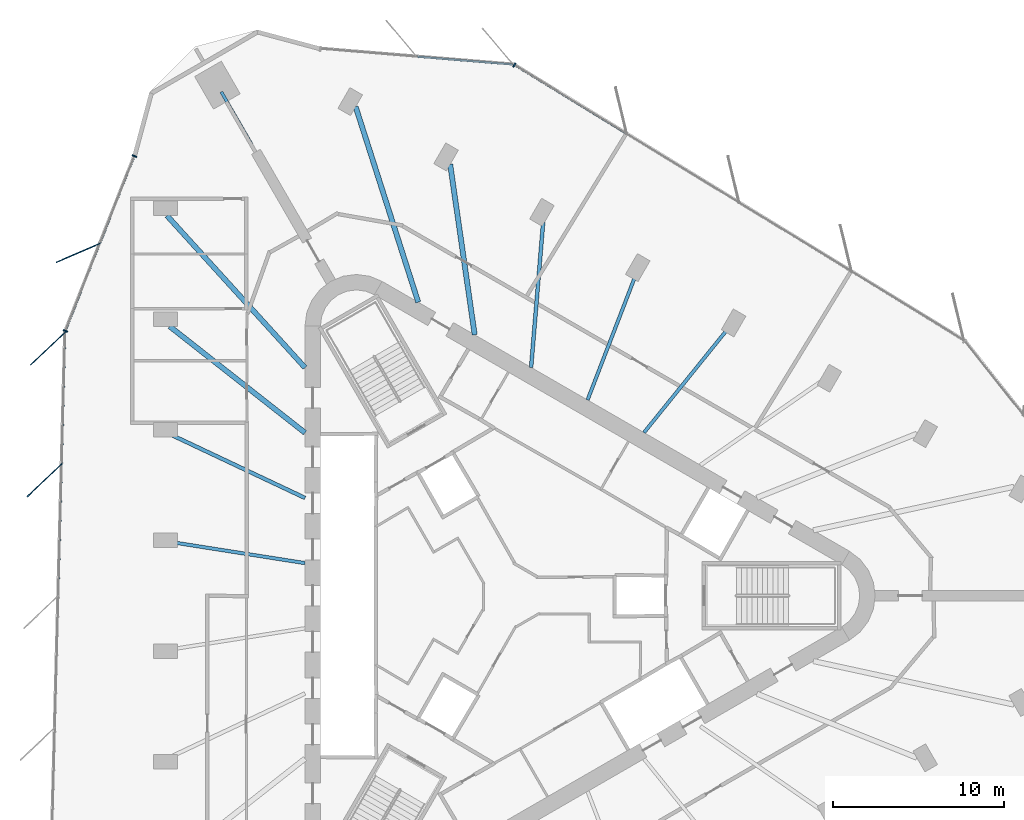
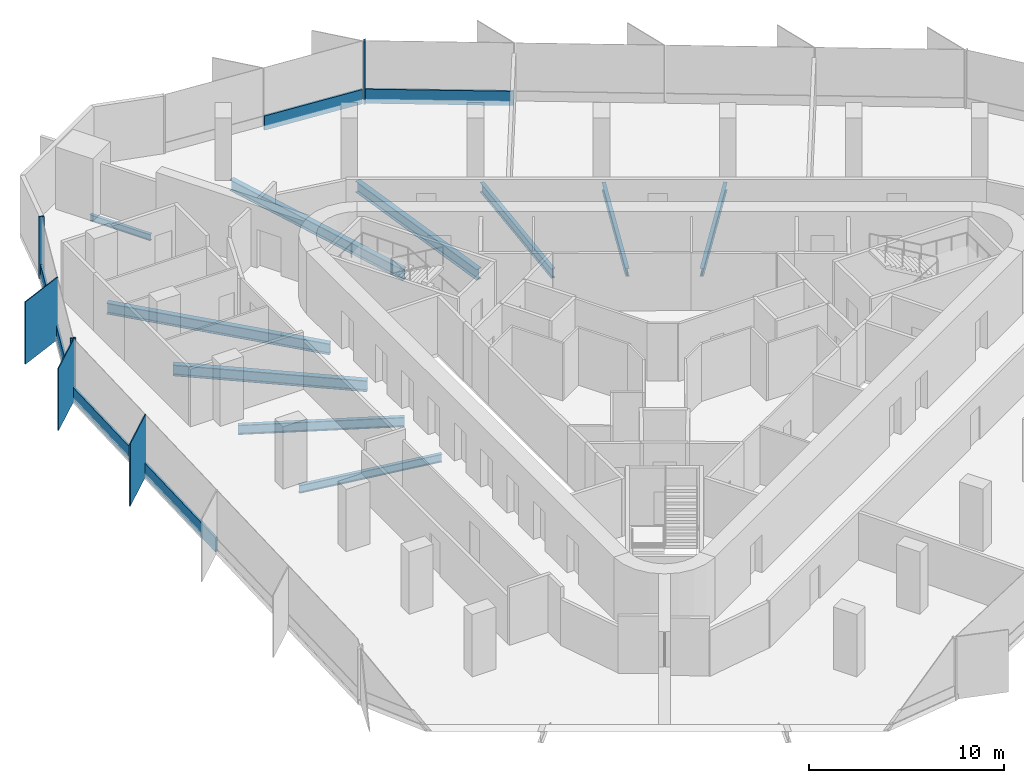
# One storey, part 4 of 13: 12 members, 10 beams, 4 elements without a shape of their own.
"""IFC4 building model written with IfcOpenShell, lengths in metres."""

from ifc_helpers import new_model, si_unit, direction, frame, origin, origin_2d, place, context, subcontext, project, spatial, rectangle, i_section, extrude, material, material_profile, profile_set, type_object, element, aggregate, save


model = new_model("IFC4")

# Units and contexts
model_context = context("Model", 3, precision=1e-05, world=origin(), true_north=direction((0.0, 1.0)))
body_context = subcontext(model_context, "Body", "Model", "MODEL_VIEW")
ifc_project = project(units=[si_unit("LENGTHUNIT", "METRE"), si_unit("AREAUNIT", "SQUARE_METRE"), si_unit("VOLUMEUNIT", "CUBIC_METRE"), si_unit("PLANEANGLEUNIT", "RADIAN"), si_unit("MASSUNIT", "GRAM", prefix="KILO")], contexts=[model_context])

# Site, building, storey
site_placement = place(None, origin())
site = spatial("IfcSite", under=ifc_project, at=site_placement, CompositionType="ELEMENT")
building_placement = place(site_placement, origin())
building = spatial("IfcBuilding", under=site, at=building_placement, Name="Tanit Gate Tower", CompositionType="ELEMENT")
storey_placement = place(building_placement, frame((0.0, 0.0, 322.10009765625)))
storey = spatial("IfcBuildingStorey", under=building, at=storey_placement, Name="L72", CompositionType="ELEMENT", Elevation=322.10009765625)

# Curtain wall, member
ifc_material_1 = material(Name="Aluminium bronze anodised and glass", Category="aluminium")
curtain_wall_type = type_object("IfcCurtainWallType", Name="Curtain wall typical high", PredefinedType="NOTDEFINED", material=ifc_material_1)
curtain_wall_1_placement = place(storey_placement, origin())
curtain_wall_1 = element("IfcCurtainWall", 1, at=curtain_wall_1_placement, inside=storey, type_object=curtain_wall_type, Name="Curtain wall L72 W1", PredefinedType="NOTDEFINED")
ifc_material_2 = material(Name="Aluminium bronze anodised", Category="aluminium")
ifc_material_profile_1 = material_profile(ifc_material_2, rectangle(XDim=2.800048828125, YDim=0.055908203125, at=origin_2d()), Name="56x2800 bronze fin mullion")
ifc_profile_set_1 = profile_set([ifc_material_profile_1], Name="Aluminium bronze anodised")
member_type_1 = type_object("IfcMemberType", Name="FIN MULLION 56x2800 bronze", PredefinedType="MULLION", material=ifc_profile_set_1)
member_1_placement = place(storey_placement, frame((-25.345947265625, 20.02587890625, -0.300048828125), z_axis=(0.0, 0.0, 1.0), x_axis=(0.917303704753, 0.398188288687, 0.0)))
member_1 = element("IfcMember", 2, at=member_1_placement, type_object=member_type_1, Name="Fin mullion L72 W1.2", PredefinedType="MULLION", context=body_context, shape_type="SweptSolid", body=[
    extrude(rectangle(XDim=2.800048828125, YDim=0.055908203125, at=origin_2d()), origin(), (0.0, 0.0, 1.0), 3.89990234375),
])

# Curtain wall, members
curtain_wall_2_placement = place(storey_placement, origin())
curtain_wall_2 = element("IfcCurtainWall", 3, at=curtain_wall_2_placement, inside=storey, type_object=curtain_wall_type, Name="Curtain wall L72 W2", PredefinedType="NOTDEFINED")
member_2_placement = place(storey_placement, frame((-27.112060546875, 14.4404296875, -0.300048828125), z_axis=(0.0, 0.0, 1.0), x_axis=(0.725295571884, 0.688437603131, 0.0)))
member_2 = element("IfcMember", 4, at=member_2_placement, type_object=member_type_1, Name="Fin mullion L72 W2.1", PredefinedType="MULLION", context=body_context, shape_type="SweptSolid", body=[
    extrude(rectangle(XDim=2.800048828125, YDim=0.055908203125, at=origin_2d()), origin(), (0.0, 0.0, 1.0), 3.89990234375),
])
member_3_placement = place(storey_placement, frame((-27.312744140625, 6.745361328125, -0.300048828125), z_axis=(0.0, 0.0, 1.0), x_axis=(0.725295571884, 0.688437603131, 0.0)))
member_3 = element("IfcMember", 5, at=member_3_placement, type_object=member_type_1, Name="Fin mullion L72 W2.2", PredefinedType="MULLION", context=body_context, shape_type="SweptSolid", body=[
    extrude(rectangle(XDim=2.800048828125, YDim=0.055908203125, at=origin_2d()), origin(), (0.0, 0.0, 1.0), 3.89990234375),
])

# Curtain wall, member
curtain_wall_3_placement = place(storey_placement, origin())
curtain_wall_3 = element("IfcCurtainWall", 6, at=curtain_wall_3_placement, inside=storey, type_object=curtain_wall_type, Name="Curtain wall L72 NE2", PredefinedType="NOTDEFINED")
ifc_material_3 = material(Name="Aluminium bronze anodised", Category="aluminium")
ifc_material_profile_2 = material_profile(ifc_material_3, rectangle(XDim=0.280029296875, YDim=0.080078125, at=origin_2d()), Name="80x280 bronze mullion")
ifc_profile_set_2 = profile_set([ifc_material_profile_2], Name="Aluminium bronze anodised")
member_type_2 = type_object("IfcMemberType", Name="Mullion 80x280 typical high", PredefinedType="MULLION", material=ifc_profile_set_2)
member_4_placement = place(storey_placement, frame((0.129150390625, 31.00244140625, -0.300048828125), z_axis=(0.0, 0.0, 1.0), x_axis=(-0.522400961521, -0.852699967985, 0.0)))
member_4 = element("IfcMember", 7, at=member_4_placement, type_object=member_type_2, Name="Mullion L72 NE2.5", PredefinedType="MULLION", context=body_context, shape_type="SweptSolid", body=[
    extrude(rectangle(XDim=0.280029296875, YDim=0.080078125, at=origin_2d()), origin(), (0.0, 0.0, 1.0), 3.89990234375),
])

# Member
member_5_placement = place(storey_placement, frame((-22.064208984375, 25.68310546875, -0.300048828125), z_axis=(0.0, 0.0, 1.0), x_axis=(0.930193309157, -0.367070030919, 0.0)))
member_5 = element("IfcMember", 8, at=member_5_placement, type_object=member_type_2, Name="Mullion L72 W1.1", PredefinedType="MULLION", context=body_context, shape_type="SweptSolid", body=[
    extrude(rectangle(XDim=0.280029296875, YDim=0.080078125, at=origin_2d()), origin(), (0.0, 0.0, 1.0), 3.89990234375),
])

member_6_placement = place(storey_placement, frame((-26.095458984375, 15.4677734375, -0.300048828125), z_axis=(0.0, 0.0, 1.0), x_axis=(0.930193309157, -0.367070030919, 0.0)))
member_6 = element("IfcMember", 9, at=member_6_placement, type_object=member_type_2, Name="Mullion L72 W1.3", PredefinedType="MULLION", context=body_context, shape_type="SweptSolid", body=[
    extrude(rectangle(XDim=0.280029296875, YDim=0.080078125, at=origin_2d()), origin(), (0.0, 0.0, 1.0), 3.89990234375),
])

# Beams
ifc_material_4 = material(Name="Steel S355", Category="steel")
ifc_material_profile_3 = material_profile(ifc_material_4, i_section(OverallWidth=0.300048828125, OverallDepth=0.68994140625, WebThickness=0.014404296875, FlangeThickness=0.027099609375, FilletRadius=0.027099609375, at=origin_2d()), Name="HEA 700")
ifc_profile_set_3 = profile_set([ifc_material_profile_3], Name="Steel S355")
beam_type_1 = type_object("IfcBeamType", Name="RADIAL GIRDER HEA 700 S355", PredefinedType="BEAM", material=ifc_profile_set_3)
beam_1_placement = place(storey_placement, frame((-3.622314453125, 25.19580078125, -0.64501953125), z_axis=(0.142297951306, -0.989823869713, 0.0), x_axis=(0.989823869713, 0.142297951306, 0.0)))
element("IfcBeam", 10, at=beam_1_placement, inside=storey, type_object=beam_type_1, Name="RADIAL GIRDER", PredefinedType="BEAM", context=body_context, shape_type="SweptSolid", body=[
    extrude(i_section(OverallWidth=0.300048828125, OverallDepth=0.68994140625, WebThickness=0.014404296875, FlangeThickness=0.027099609375, FilletRadius=0.027099609375, at=origin_2d()), origin(), (0.0, 0.0, 1.0), 10.05908203125),
])
beam_2_placement = place(storey_placement, frame((-9.142822265625, 28.5615234375, -0.64501953125), z_axis=(0.304861429939, -0.952396718041, 0.0), x_axis=(0.952396718041, 0.304861429939, 0.0)))
element("IfcBeam", 11, at=beam_2_placement, inside=storey, type_object=beam_type_1, Name="RADIAL GIRDER", PredefinedType="BEAM", context=body_context, shape_type="SweptSolid", body=[
    extrude(i_section(OverallWidth=0.300048828125, OverallDepth=0.68994140625, WebThickness=0.014404296875, FlangeThickness=0.027099609375, FilletRadius=0.027099609375, at=origin_2d()), origin(), (0.0, 0.0, 1.0), 11.989990234375),
])
beam_3_placement = place(storey_placement, frame((-20.16357421875, 22.198486328125, -0.64501953125), z_axis=(0.672368682258, -0.740216424513, 0.0), x_axis=(0.740216424513, 0.672368682258, 0.0)))
element("IfcBeam", 12, at=beam_3_placement, inside=storey, type_object=beam_type_1, Name="RADIAL GIRDER", PredefinedType="BEAM", context=body_context, shape_type="SweptSolid", body=[
    extrude(i_section(OverallWidth=0.300048828125, OverallDepth=0.68994140625, WebThickness=0.014404296875, FlangeThickness=0.027099609375, FilletRadius=0.027099609375, at=origin_2d()), origin(), (0.0, 0.0, 1.0), 11.98974609375),
])
beam_4_placement = place(storey_placement, frame((-20.009033203125, 15.734619140625, -0.64501953125), z_axis=(0.786058028023, -0.618152712993, 0.0), x_axis=(0.618152712993, 0.786058028023, 0.0)))
element("IfcBeam", 13, at=beam_4_placement, inside=storey, type_object=beam_type_1, Name="RADIAL GIRDER", PredefinedType="BEAM", context=body_context, shape_type="SweptSolid", body=[
    extrude(i_section(OverallWidth=0.300048828125, OverallDepth=0.68994140625, WebThickness=0.014404296875, FlangeThickness=0.027099609375, FilletRadius=0.027099609375, at=origin_2d()), origin(), (0.0, 0.0, 1.0), 10.05908203125),
])
ifc_material_5 = material(Name="Steel S355", Category="steel")
ifc_material_profile_4 = material_profile(ifc_material_5, i_section(OverallWidth=0.179931640625, OverallDepth=0.39990234375, WebThickness=0.008544921875, FlangeThickness=0.013427734375, FilletRadius=0.02099609375, at=origin_2d()), Name="IPE 400")
ifc_profile_set_4 = profile_set([ifc_material_profile_4], Name="Steel S355")
beam_type_2 = type_object("IfcBeamType", Name="RADIAL GIRDER IPE 400 S355", PredefinedType="BEAM", material=ifc_profile_set_4)
beam_5_placement = place(storey_placement, frame((-16.991455078125, 29.43017578125, -0.5), z_axis=(0.499968468511, -0.866043607733, 0.0), x_axis=(0.866043607733, 0.499968468511, 0.0)))
element("IfcBeam", 14, at=beam_5_placement, inside=storey, type_object=beam_type_2, Name="RADIAL GIRDER", PredefinedType="BEAM", context=body_context, shape_type="SweptSolid", body=[
    extrude(i_section(OverallWidth=0.179931640625, OverallDepth=0.39990234375, WebThickness=0.008544921875, FlangeThickness=0.013427734375, FilletRadius=0.02099609375, at=origin_2d()), origin(), (0.0, 0.0, 1.0), 3.579345703125),
])
ifc_material_6 = material(Name="Steel S355", Category="steel")
ifc_material_profile_5 = material_profile(ifc_material_6, i_section(OverallWidth=0.199951171875, OverallDepth=0.5, WebThickness=0.01025390625, FlangeThickness=0.01611328125, FilletRadius=0.02099609375, at=origin_2d()), Name="IPE 500")
ifc_profile_set_5 = profile_set([ifc_material_profile_5], Name="Steel S355")
beam_type_3 = type_object("IfcBeamType", Name="RADIAL GIRDER IPE 500 S355", PredefinedType="BEAM", material=ifc_profile_set_5)
beam_6_placement = place(storey_placement, frame((12.62841796875, 15.62939453125, -0.550048828125), z_axis=(-0.628491429151, -0.777816510164, 0.0), x_axis=(0.777816510164, -0.628491429151, 0.0)))
element("IfcBeam", 15, at=beam_6_placement, inside=storey, type_object=beam_type_3, Name="RADIAL GIRDER", PredefinedType="BEAM", context=body_context, shape_type="SweptSolid", body=[
    extrude(i_section(OverallWidth=0.199951171875, OverallDepth=0.5, WebThickness=0.01025390625, FlangeThickness=0.01611328125, FilletRadius=0.02099609375, at=origin_2d()), origin(), (0.0, 0.0, 1.0), 7.843017578125),
])
for number, where, z_axis, x_axis, name in (
    (16, (7.22119140625, 18.751220703125, -0.550048828125), (-0.359385809885, -0.933189069617, 0.0), (0.933189069617, -0.359385809885, 0.0), "RADIAL GIRDER"),
    (17, (-19.849609375, 3.121826171875, -0.550048828125), (0.987856930441, -0.15536629293, 0.0), (0.15536629293, 0.987856930441, 0.0), "RADIAL GIRDER"),
):
    element("IfcBeam", number, at=place(storey_placement, frame(where, z_axis=z_axis, x_axis=x_axis)), inside=storey, type_object=beam_type_3, Name=name, PredefinedType="BEAM", context=body_context, shape_type="SweptSolid", body=[
        extrude(i_section(OverallWidth=0.199951171875, OverallDepth=0.5, WebThickness=0.01025390625, FlangeThickness=0.01611328125, FilletRadius=0.02099609375, at=origin_2d()), origin(), (0.0, 0.0, 1.0), 7.8427734375),
    ])
ifc_material_7 = material(Name="Steel S355", Category="steel")
ifc_material_profile_6 = material_profile(ifc_material_7, i_section(OverallWidth=0.219970703125, OverallDepth=0.60009765625, WebThickness=0.011962890625, FlangeThickness=0.01904296875, FilletRadius=0.02392578125, at=origin_2d()), Name="IPE 600")
ifc_profile_set_6 = profile_set([ifc_material_profile_6], Name="Steel S355")
beam_type_4 = type_object("IfcBeamType", Name="RADIAL GIRDER IPE 600 S355", PredefinedType="BEAM", material=ifc_profile_set_6)
for number, where, z_axis, x_axis, name in (
    (18, (1.81396484375, 21.873046875, -0.60009765625), (-0.082646881355, -0.99657889452, 0.0), (0.99657889452, -0.082646881355, 0.0), "RADIAL GIRDER"),
    (19, (-19.849609375, 9.365478515625, -0.60009765625), (0.90438615004, -0.426715000458, 0.0), (0.426715000458, 0.90438615004, 0.0), "RADIAL GIRDER"),
):
    element("IfcBeam", number, at=place(storey_placement, frame(where, z_axis=z_axis, x_axis=x_axis)), inside=storey, type_object=beam_type_4, Name=name, PredefinedType="BEAM", context=body_context, shape_type="SweptSolid", body=[
        extrude(i_section(OverallWidth=0.219970703125, OverallDepth=0.60009765625, WebThickness=0.011962890625, FlangeThickness=0.01904296875, FilletRadius=0.02392578125, at=origin_2d()), origin(), (0.0, 0.0, 1.0), 8.566650390625),
    ])

# Member
ifc_material_8 = material(Name="Aluminium bronze anodised", Category="aluminium")
ifc_material_profile_7 = material_profile(ifc_material_8, rectangle(XDim=0.1201171875, YDim=0.89990234375, at=origin_2d()), Name="120x900 bronze transom")
ifc_profile_set_7 = profile_set([ifc_material_profile_7], Name="Aluminium bronze anodised")
member_type_3 = type_object("IfcMemberType", Name="Transom 120x900 typical high", PredefinedType="USERDEFINED", material=ifc_profile_set_7)
member_7_placement = place(storey_placement, frame((6.65869140625, 27.002197265625, 0.14990234375), z_axis=(-0.852691062329, 0.522415497687, 0.0), x_axis=(-0.522415497687, -0.852691062329, 0.0)))
member_7 = element("IfcMember", 20, at=member_7_placement, type_object=member_type_3, Name="Transom L72 NE2.4", ObjectType="TRANSOM", PredefinedType="USERDEFINED", context=body_context, shape_type="SweptSolid", body=[
    extrude(rectangle(XDim=0.1201171875, YDim=0.89990234375, at=origin_2d()), origin(), (0.0, 0.0, 1.0), 7.617431640625),
])

aggregate(curtain_wall_3, [member_4, member_7])

# Curtain wall, member
curtain_wall_4_placement = place(storey_placement, origin())
curtain_wall_4 = element("IfcCurtainWall", 21, at=curtain_wall_4_placement, inside=storey, type_object=curtain_wall_type, Name="Curtain wall L72 NE3", PredefinedType="NOTDEFINED")
member_8_placement = place(storey_placement, frame((0.015380859375, 31.030029296875, 0.14990234375), z_axis=(-0.996645692333, 0.081837423916, 0.0), x_axis=(-0.081837423916, -0.996645692333, 0.0)))
member_8 = element("IfcMember", 22, at=member_8_placement, type_object=member_type_3, Name="Transom L72 NE3.1", ObjectType="TRANSOM", PredefinedType="USERDEFINED", context=body_context, shape_type="SweptSolid", body=[
    extrude(rectangle(XDim=0.1201171875, YDim=0.89990234375, at=origin_2d()), origin(), (0.0, 0.0, 1.0), 5.56982421875),
])
aggregate(curtain_wall_4, [member_8])

# Member
member_9_placement = place(storey_placement, frame((-22.078857421875, 25.64599609375, 0.14990234375), z_axis=(-0.367077162798, -0.930190494765, 0.0), x_axis=(0.930190494765, -0.367077162798, 0.0)))
member_9 = element("IfcMember", 23, at=member_9_placement, type_object=member_type_3, Name="Transom L72 W1.1", ObjectType="TRANSOM", PredefinedType="USERDEFINED", context=body_context, shape_type="SweptSolid", body=[
    extrude(rectangle(XDim=0.1201171875, YDim=0.89990234375, at=origin_2d()), origin(), (0.0, 0.0, 1.0), 5.4111328125),
])

member_10_placement = place(storey_placement, frame((-24.094482421875, 20.538330078125, 0.14990234375), z_axis=(-0.367077162798, -0.930190494765, 0.0), x_axis=(0.930190494765, -0.367077162798, 0.0)))
member_10 = element("IfcMember", 24, at=member_10_placement, type_object=member_type_3, Name="Transom L72 W1.2", ObjectType="TRANSOM", PredefinedType="USERDEFINED", context=body_context, shape_type="SweptSolid", body=[
    extrude(rectangle(XDim=0.1201171875, YDim=0.89990234375, at=origin_2d()), origin(), (0.0, 0.0, 1.0), 5.4111328125),
])

aggregate(curtain_wall_1, [member_5, member_1, member_6, member_9, member_10])

member_11_placement = place(storey_placement, frame((-26.112060546875, 15.3505859375, 0.14990234375), z_axis=(-0.026056361338, -0.999660475378, 0.0), x_axis=(0.999660475378, -0.026056361338, 0.0)))
member_11 = element("IfcMember", 25, at=member_11_placement, type_object=member_type_3, Name="Transom L72 W2.1", ObjectType="TRANSOM", PredefinedType="USERDEFINED", context=body_context, shape_type="SweptSolid", body=[
    extrude(rectangle(XDim=0.1201171875, YDim=0.89990234375, at=origin_2d()), origin(), (0.0, 0.0, 1.0), 7.61767578125),
])

member_12_placement = place(storey_placement, frame((-26.312744140625, 7.655517578125, 0.14990234375), z_axis=(-0.026056361338, -0.999660475378, 0.0), x_axis=(0.999660475378, -0.026056361338, 0.0)))
member_12 = element("IfcMember", 26, at=member_12_placement, type_object=member_type_3, Name="Transom L72 W2.2", ObjectType="TRANSOM", PredefinedType="USERDEFINED", context=body_context, shape_type="SweptSolid", body=[
    extrude(rectangle(XDim=0.1201171875, YDim=0.89990234375, at=origin_2d()), origin(), (0.0, 0.0, 1.0), 7.61767578125),
])

aggregate(curtain_wall_2, [member_2, member_3, member_11, member_12])

save(model, "model.ifc")
